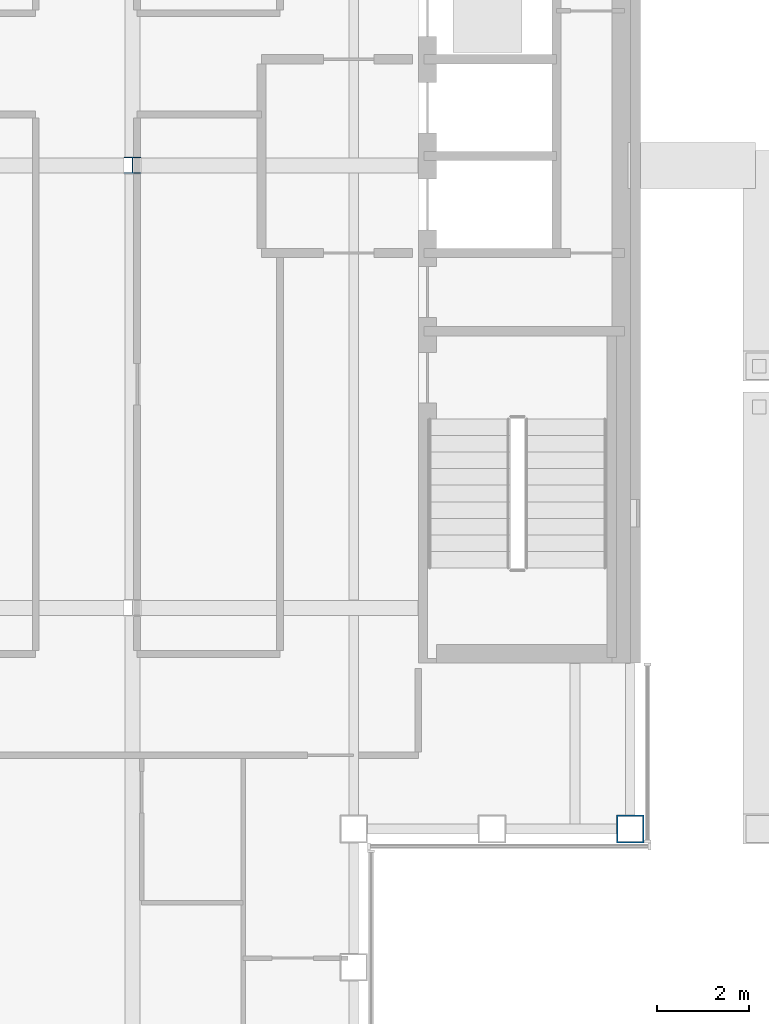
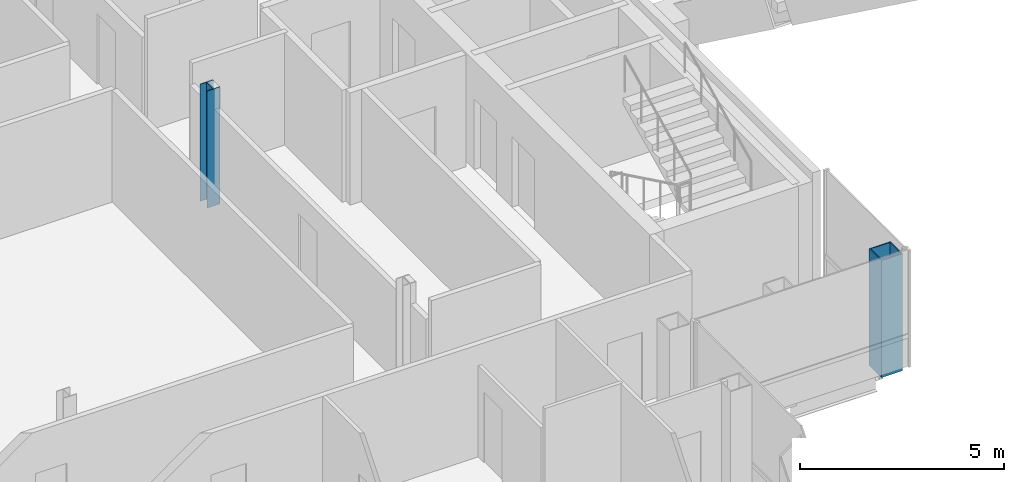
# One storey, part 2 of 15: 2 columns.
"""IFC4 building model written with IfcOpenShell, lengths in metres."""

from ifc_helpers import new_model, si_unit, direction, frame, origin, origin_2d, place, context, subcontext, project, spatial, hollow_rectangle, i_section, extrude, material, material_profile, profile_set, type_object, element, save


model = new_model("IFC4")

# Units and contexts
model_context = context("Model", 3, precision=1e-05, world=origin(), true_north=direction((0.0, 1.0)))
body_context = subcontext(model_context, "Body", "Model", "MODEL_VIEW")
ifc_project = project(units=[si_unit("LENGTHUNIT", "METRE"), si_unit("AREAUNIT", "SQUARE_METRE"), si_unit("VOLUMEUNIT", "CUBIC_METRE"), si_unit("PLANEANGLEUNIT", "RADIAN"), si_unit("MASSUNIT", "GRAM", prefix="KILO")], contexts=[model_context])

# Site, building, storey
site_placement = place(None, origin())
site = spatial("IfcSite", under=ifc_project, at=site_placement, CompositionType="ELEMENT")
building_placement = place(site_placement, origin())
building = spatial("IfcBuilding", under=site, at=building_placement, Name="Cobrizo Arcos Hotel Tower", CompositionType="ELEMENT")
storey_placement = place(building_placement, frame((0.0, 0.0, 244.5)))
storey = spatial("IfcBuildingStorey", under=building, at=storey_placement, Name="L64", CompositionType="ELEMENT", Elevation=244.5)

# Columns
ifc_material_1 = material(Name="Steel ASTM A572 Grade 50", Category="steel")
ifc_material_profile_1 = material_profile(ifc_material_1, hollow_rectangle(XDim=0.60009765625, YDim=0.60009765625, WallThickness=0.030029296875, at=origin_2d()), Name="BOX 600X600X30")
ifc_profile_set_1 = profile_set([ifc_material_profile_1], Name="Steel ASTM A572 Grade 50")
column_type_1 = type_object("IfcColumnType", Name="BOX 600X600X30 column", PredefinedType="COLUMN", material=ifc_profile_set_1)
column_1_placement = place(storey_placement, frame((20.39990234375, -14.39990234375, -0.14990234375), z_axis=(0.0, 0.0, 1.0), x_axis=(1.0, 0.0, 0.0)))
element("IfcColumn", 1, at=column_1_placement, inside=storey, type_object=column_type_1, Name="Perimeter column C12, L64, no. 14", PredefinedType="COLUMN", context=body_context, shape_type="SweptSolid", body=[
    extrude(hollow_rectangle(XDim=0.60009765625, YDim=0.60009765625, WallThickness=0.030029296875, at=origin_2d()), origin(), (0.0, 0.0, 1.0), 3.5),
])
ifc_material_2 = material(Name="Steel ASTM A992 Grade 50", Category="steel")
ifc_material_profile_2 = material_profile(ifc_material_2, i_section(OverallWidth=0.368408203125, OverallDepth=0.355712890625, WebThickness=0.01123046875, FlangeThickness=0.01806640625, at=origin_2d()), Name="W14X90")
ifc_profile_set_2 = profile_set([ifc_material_profile_2], Name="Steel ASTM A992 Grade 50")
column_type_2 = type_object("IfcColumnType", Name="W14X90 interior column", PredefinedType="COLUMN", material=ifc_profile_set_2)
column_2_placement = place(storey_placement, frame((9.60009765625, 0.0, -0.14990234375), z_axis=(0.0, 0.0, 1.0), x_axis=(1.0, 0.0, 0.0)))
element("IfcColumn", 2, at=column_2_placement, inside=storey, type_object=column_type_2, Name="Interior column C13, L64, no. 07", PredefinedType="COLUMN", context=body_context, shape_type="SweptSolid", body=[
    extrude(i_section(OverallWidth=0.368408203125, OverallDepth=0.355712890625, WebThickness=0.01123046875, FlangeThickness=0.01806640625, at=origin_2d()), origin(), (0.0, 0.0, 1.0), 3.5),
])

save(model, "model.ifc")
